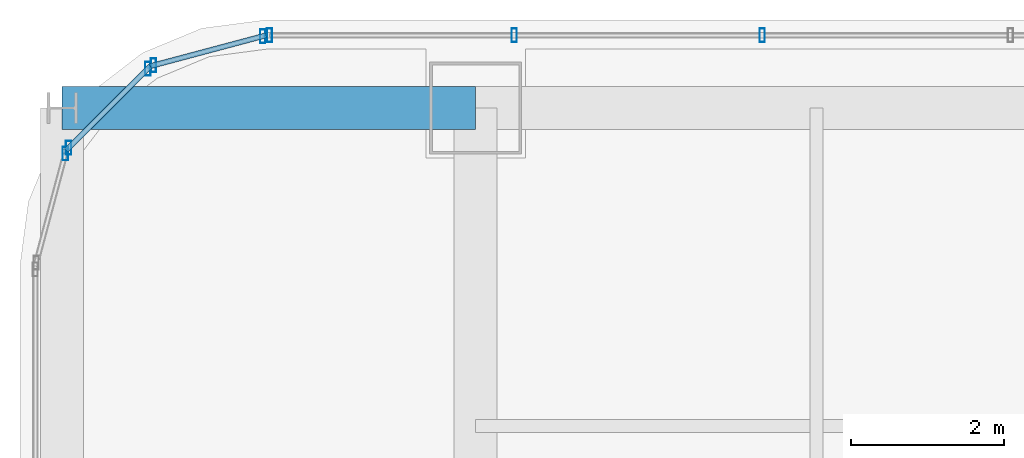
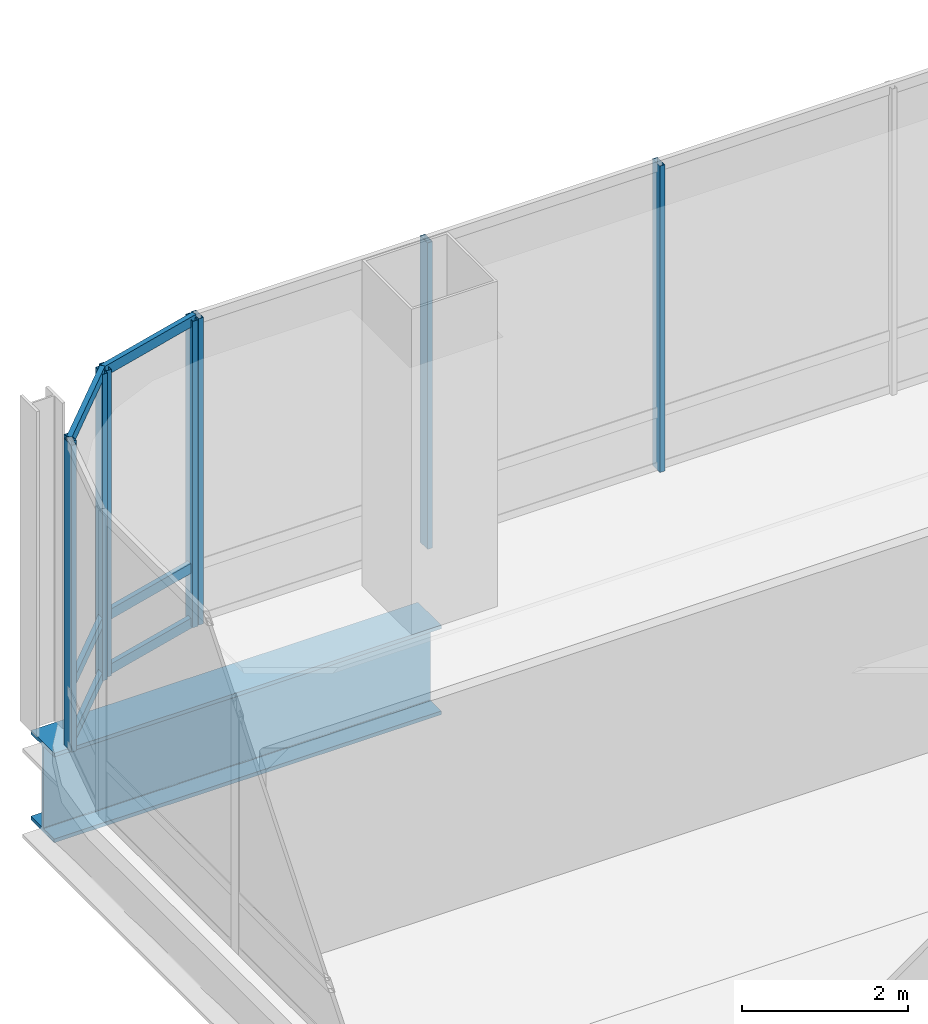
# One storey, part 25 of 45: 14 members, 1 beam, 4 elements without a shape of their own.
"""IFC4 building model written with IfcOpenShell, lengths in metres."""

from ifc_helpers import new_model, si_unit, direction, frame, origin, origin_2d, place, context, subcontext, project, spatial, hollow_rectangle, i_section, extrude, material, material_profile, profile_set, type_object, element, aggregate, save


model = new_model("IFC4")

# Units and contexts
model_context = context("Model", 3, precision=1e-05, world=origin(), true_north=direction((0.0, 1.0)))
body_context = subcontext(model_context, "Body", "Model", "MODEL_VIEW")
ifc_project = project(units=[si_unit("LENGTHUNIT", "METRE"), si_unit("AREAUNIT", "SQUARE_METRE"), si_unit("VOLUMEUNIT", "CUBIC_METRE"), si_unit("PLANEANGLEUNIT", "RADIAN"), si_unit("MASSUNIT", "GRAM", prefix="KILO")], contexts=[model_context])

# Site, building, storey
site_placement = place(None, origin())
site = spatial("IfcSite", under=ifc_project, at=site_placement, CompositionType="ELEMENT")
building_placement = place(site_placement, origin())
building = spatial("IfcBuilding", under=site, at=building_placement, Name="Punatoya Terracotta Tower", CompositionType="ELEMENT")
storey_placement = place(building_placement, frame((0.0, 0.0, 339.0)))
storey = spatial("IfcBuildingStorey", under=building, at=storey_placement, Name="L80", CompositionType="ELEMENT", Elevation=339.0)

# Beam
ifc_material_1 = material(Name="Steel S460", Category="steel")
ifc_material_profile_1 = material_profile(ifc_material_1, i_section(OverallWidth=0.56005859375, OverallDepth=1.320068359375, WebThickness=0.035888671875, FlangeThickness=0.054931640625, FilletRadius=0.01806640625, at=origin_2d()))
ifc_profile_set_1 = profile_set([ifc_material_profile_1], Name="Steel S460")
beam_type = type_object("IfcBeamType", Name="BM-TG-BLK", PredefinedType="BEAM", material=ifc_profile_set_1)
beam_placement = place(storey_placement, frame((-24.5, 17.5, -0.919921875), z_axis=(1.0, 0.0, 0.0), x_axis=(0.0, 1.0, 0.0)))
element("IfcBeam", 1, at=beam_placement, inside=storey, type_object=beam_type, Name="BM-L80-CANT-W4", PredefinedType="BEAM", context=body_context, shape_type="SweptSolid", body=[
    extrude(i_section(OverallWidth=0.56005859375, OverallDepth=1.320068359375, WebThickness=0.035888671875, FlangeThickness=0.054931640625, FilletRadius=0.01806640625, at=origin_2d()), origin(), (0.0, 0.0, 1.0), 5.39990234375),
])

# Curtain wall, members
ifc_material_2 = material(Name="Aluminium 6063-T6 + Double Low-E Glass", Category="aluminium")
curtain_wall_type = type_object("IfcCurtainWallType", Name="CW-OBS", PredefinedType="NOTDEFINED", material=ifc_material_2)
curtain_wall_1_placement = place(storey_placement, origin())
curtain_wall_1 = element("IfcCurtainWall", 2, at=curtain_wall_1_placement, inside=storey, type_object=curtain_wall_type, Name="L80 Curtain Wall CW-L80-N09-1", PredefinedType="NOTDEFINED")
ifc_material_3 = material(Name="Aluminium 6063-T6", Category="aluminium")
ifc_material_profile_2 = material_profile(ifc_material_3, hollow_rectangle(XDim=0.070068359375, YDim=0.179931640625, WallThickness=0.00390625, at=origin_2d()))
ifc_profile_set_2 = profile_set([ifc_material_profile_2], Name="Aluminium 6063-T6")
member_type_1 = type_object("IfcMemberType", Name="CW-MUL-M3", PredefinedType="MULLION", material=ifc_profile_set_2)
member_1_placement = place(storey_placement, frame((-15.35791015625, 18.449951171875, 0.0), z_axis=(0.0, 0.0, 1.0), x_axis=(1.0, 0.0, 0.0)))
member_1 = element("IfcMember", 3, at=member_1_placement, type_object=member_type_1, Name="CW-L80-N09-1 Mullion 10", PredefinedType="MULLION", context=body_context, shape_type="SweptSolid", body=[
    extrude(hollow_rectangle(XDim=0.070068359375, YDim=0.179931640625, WallThickness=0.00390625, at=origin_2d()), origin(), (0.0, 0.0, 1.0), 4.52001953125),
])
member_2_placement = place(storey_placement, frame((-18.597412109375, 18.449951171875, 0.0), z_axis=(0.0, 0.0, 1.0), x_axis=(1.0, 0.0, 0.0)))
member_2 = element("IfcMember", 4, at=member_2_placement, type_object=member_type_1, Name="CW-L80-N09-1 Mullion 11", PredefinedType="MULLION", context=body_context, shape_type="SweptSolid", body=[
    extrude(hollow_rectangle(XDim=0.070068359375, YDim=0.179931640625, WallThickness=0.00390625, at=origin_2d()), origin(), (0.0, 0.0, 1.0), 4.52001953125),
])
member_3_placement = place(storey_placement, frame((-21.7919921875, 18.449951171875, 0.0), z_axis=(0.0, 0.0, 1.0), x_axis=(1.0, 0.0, 0.0)))
member_3 = element("IfcMember", 5, at=member_3_placement, type_object=member_type_1, Name="CW-L80-N09-1 Mullion 12", PredefinedType="MULLION", context=body_context, shape_type="SweptSolid", body=[
    extrude(hollow_rectangle(XDim=0.070068359375, YDim=0.179931640625, WallThickness=0.00390625, at=origin_2d()), origin(), (0.0, 0.0, 1.0), 4.52001953125),
])
aggregate(curtain_wall_1, [member_1, member_2, member_3])

curtain_wall_2_placement = place(storey_placement, origin())
curtain_wall_2 = element("IfcCurtainWall", 6, at=curtain_wall_2_placement, inside=storey, type_object=curtain_wall_type, Name="L80 Curtain Wall CW-L80-CRN10", PredefinedType="NOTDEFINED")
member_4_placement = place(storey_placement, frame((-21.88037109375, 18.4384765625, 0.0), z_axis=(0.0, 0.0, 1.0), x_axis=(1.0, 0.0, 0.0)))
member_4 = element("IfcMember", 7, at=member_4_placement, type_object=member_type_1, Name="CW-L80-CRN10 Mullion 00", PredefinedType="MULLION", context=body_context, shape_type="SweptSolid", body=[
    extrude(hollow_rectangle(XDim=0.070068359375, YDim=0.179931640625, WallThickness=0.00390625, at=origin_2d()), origin(), (0.0, 0.0, 1.0), 4.52001953125),
])
member_5_placement = place(storey_placement, frame((-23.3056640625, 18.05810546875, 0.0), z_axis=(0.0, 0.0, 1.0), x_axis=(1.0, 0.0, 0.0)))
member_5 = element("IfcMember", 8, at=member_5_placement, type_object=member_type_1, Name="CW-L80-CRN10 Mullion 01", PredefinedType="MULLION", context=body_context, shape_type="SweptSolid", body=[
    extrude(hollow_rectangle(XDim=0.070068359375, YDim=0.179931640625, WallThickness=0.00390625, at=origin_2d()), origin(), (0.0, 0.0, 1.0), 4.52001953125),
])

curtain_wall_3_placement = place(storey_placement, origin())
curtain_wall_3 = element("IfcCurtainWall", 9, at=curtain_wall_3_placement, inside=storey, type_object=curtain_wall_type, Name="L80 Curtain Wall CW-L80-CRN11", PredefinedType="NOTDEFINED")
member_6_placement = place(storey_placement, frame((-23.380859375, 18.014892578125, 0.0), z_axis=(0.0, 0.0, 1.0), x_axis=(1.0, 0.0, 0.0)))
member_6 = element("IfcMember", 10, at=member_6_placement, type_object=member_type_1, Name="CW-L80-CRN11 Mullion 00", PredefinedType="MULLION", context=body_context, shape_type="SweptSolid", body=[
    extrude(hollow_rectangle(XDim=0.070068359375, YDim=0.179931640625, WallThickness=0.00390625, at=origin_2d()), origin(), (0.0, 0.0, 1.0), 4.52001953125),
])
member_7_placement = place(storey_placement, frame((-24.414794921875, 16.98095703125, 0.0), z_axis=(0.0, 0.0, 1.0), x_axis=(1.0, 0.0, 0.0)))
member_7 = element("IfcMember", 11, at=member_7_placement, type_object=member_type_1, Name="CW-L80-CRN11 Mullion 01", PredefinedType="MULLION", context=body_context, shape_type="SweptSolid", body=[
    extrude(hollow_rectangle(XDim=0.070068359375, YDim=0.179931640625, WallThickness=0.00390625, at=origin_2d()), origin(), (0.0, 0.0, 1.0), 4.52001953125),
])

# Curtain wall, member
curtain_wall_4_placement = place(storey_placement, origin())
curtain_wall_4 = element("IfcCurtainWall", 12, at=curtain_wall_4_placement, inside=storey, type_object=curtain_wall_type, Name="L80 Curtain Wall CW-L80-CRN12", PredefinedType="NOTDEFINED")
member_8_placement = place(storey_placement, frame((-24.458251953125, 16.905517578125, 0.0), z_axis=(0.0, 0.0, 1.0), x_axis=(1.0, 0.0, 0.0)))
member_8 = element("IfcMember", 13, at=member_8_placement, type_object=member_type_1, Name="CW-L80-CRN12 Mullion 00", PredefinedType="MULLION", context=body_context, shape_type="SweptSolid", body=[
    extrude(hollow_rectangle(XDim=0.070068359375, YDim=0.179931640625, WallThickness=0.00390625, at=origin_2d()), origin(), (0.0, 0.0, 1.0), 4.52001953125),
])
aggregate(curtain_wall_4, [member_8])

# Member
ifc_material_profile_3 = material_profile(ifc_material_3, hollow_rectangle(XDim=0.068115234375, YDim=0.14990234375, WallThickness=0.00390625, at=origin_2d()))
ifc_profile_set_3 = profile_set([ifc_material_profile_3], Name="Aluminium 6063-T6")
member_type_2 = type_object("IfcMemberType", Name="CW-TRN-TYP", PredefinedType="USERDEFINED", material=ifc_profile_set_3)
member_9_placement = place(storey_placement, frame((-21.8369140625, 18.449951171875, 0.0400390625), z_axis=(-0.966224582397, -0.257701486942, 0.0), x_axis=(0.257701486942, -0.966224582397, 0.0)))
member_9 = element("IfcMember", 14, at=member_9_placement, type_object=member_type_2, Name="CW-L80-CRN10 Transom 1", ObjectType="TRANSOM", PredefinedType="USERDEFINED", context=body_context, shape_type="SweptSolid", body=[
    extrude(hollow_rectangle(XDim=0.068115234375, YDim=0.14990234375, WallThickness=0.00390625, at=origin_2d()), origin(), (0.0, 0.0, 1.0), 1.565185546875),
])

member_10_placement = place(storey_placement, frame((-21.8369140625, 18.449951171875, 0.85009765625), z_axis=(-0.966224582397, -0.257701486942, 0.0), x_axis=(0.257701486942, -0.966224582397, 0.0)))
member_10 = element("IfcMember", 15, at=member_10_placement, type_object=member_type_2, Name="CW-L80-CRN10 Transom 2", ObjectType="TRANSOM", PredefinedType="USERDEFINED", context=body_context, shape_type="SweptSolid", body=[
    extrude(hollow_rectangle(XDim=0.068115234375, YDim=0.14990234375, WallThickness=0.00390625, at=origin_2d()), origin(), (0.0, 0.0, 1.0), 1.565185546875),
])

member_11_placement = place(storey_placement, frame((-21.8369140625, 18.449951171875, 4.47998046875), z_axis=(-0.966224582397, -0.257701486942, 0.0), x_axis=(0.257701486942, -0.966224582397, 0.0)))
member_11 = element("IfcMember", 16, at=member_11_placement, type_object=member_type_2, Name="CW-L80-CRN10 Transom 3", ObjectType="TRANSOM", PredefinedType="USERDEFINED", context=body_context, shape_type="SweptSolid", body=[
    extrude(hollow_rectangle(XDim=0.068115234375, YDim=0.14990234375, WallThickness=0.00390625, at=origin_2d()), origin(), (0.0, 0.0, 1.0), 1.565185546875),
])

aggregate(curtain_wall_2, [member_4, member_5, member_9, member_10, member_11])

member_12_placement = place(storey_placement, frame((-23.34912109375, 18.046630859375, 0.0400390625), z_axis=(-0.707106781187, -0.707106781187, 0.0), x_axis=(0.707106781187, -0.707106781187, 0.0)))
member_12 = element("IfcMember", 17, at=member_12_placement, type_object=member_type_2, Name="CW-L80-CRN11 Transom 1", ObjectType="TRANSOM", PredefinedType="USERDEFINED", context=body_context, shape_type="SweptSolid", body=[
    extrude(hollow_rectangle(XDim=0.068115234375, YDim=0.14990234375, WallThickness=0.00390625, at=origin_2d()), origin(), (0.0, 0.0, 1.0), 1.552001953125),
])

member_13_placement = place(storey_placement, frame((-23.34912109375, 18.046630859375, 0.85009765625), z_axis=(-0.707106781187, -0.707106781187, 0.0), x_axis=(0.707106781187, -0.707106781187, 0.0)))
member_13 = element("IfcMember", 18, at=member_13_placement, type_object=member_type_2, Name="CW-L80-CRN11 Transom 2", ObjectType="TRANSOM", PredefinedType="USERDEFINED", context=body_context, shape_type="SweptSolid", body=[
    extrude(hollow_rectangle(XDim=0.068115234375, YDim=0.14990234375, WallThickness=0.00390625, at=origin_2d()), origin(), (0.0, 0.0, 1.0), 1.552001953125),
])

member_14_placement = place(storey_placement, frame((-23.34912109375, 18.046630859375, 4.47998046875), z_axis=(-0.707106781187, -0.707106781187, 0.0), x_axis=(0.707106781187, -0.707106781187, 0.0)))
member_14 = element("IfcMember", 19, at=member_14_placement, type_object=member_type_2, Name="CW-L80-CRN11 Transom 3", ObjectType="TRANSOM", PredefinedType="USERDEFINED", context=body_context, shape_type="SweptSolid", body=[
    extrude(hollow_rectangle(XDim=0.068115234375, YDim=0.14990234375, WallThickness=0.00390625, at=origin_2d()), origin(), (0.0, 0.0, 1.0), 1.552001953125),
])

aggregate(curtain_wall_3, [member_6, member_7, member_12, member_13, member_14])

save(model, "model.ifc")
